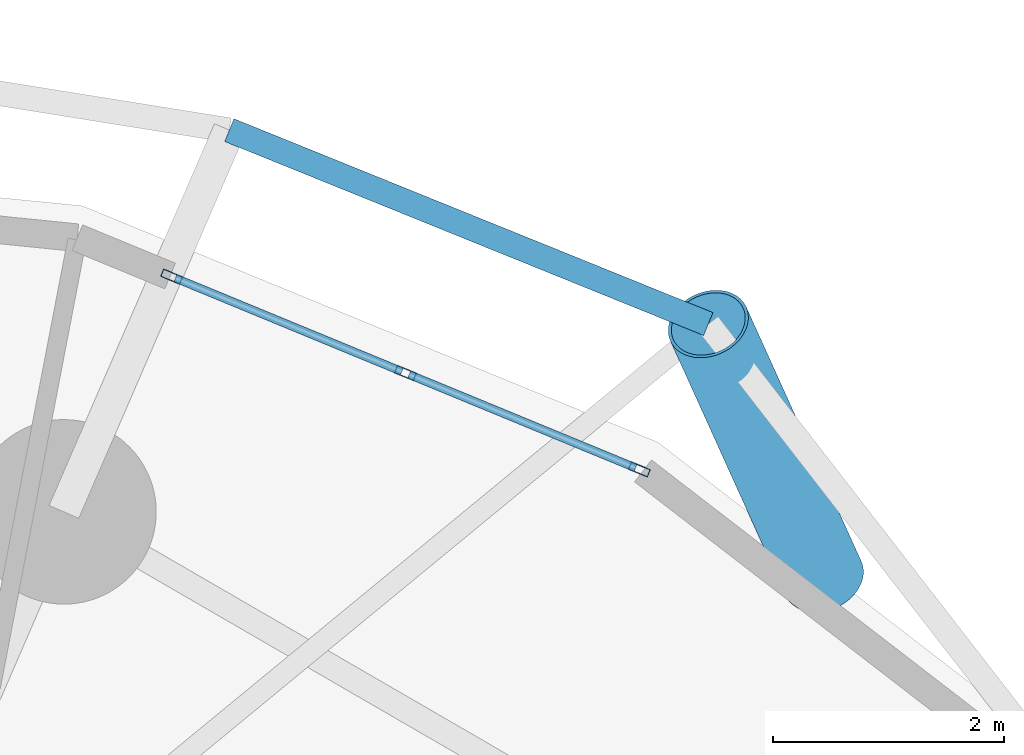
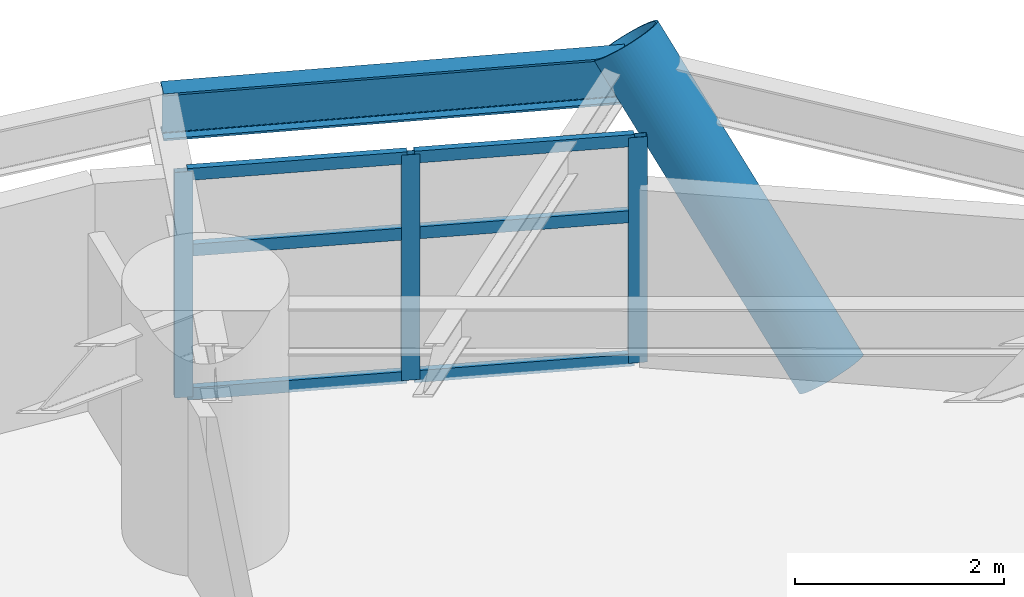
# One storey, part 7 of 17: 10 members, 1 beam, 1 element without a shape of its own.
"""IFC4 building model written with IfcOpenShell, lengths in metres."""

from ifc_helpers import new_model, si_unit, direction, frame, origin, origin_2d, place, context, subcontext, project, spatial, hollow_rectangle, hollow_circle, i_section, extrude, material, layer, layer_set, material_profile, profile_set, type_object, element, aggregate, save


model = new_model("IFC4")

# Units and contexts
model_context = context("Model", 3, precision=1e-05, world=origin(), true_north=direction((0.0, 1.0)))
body_context = subcontext(model_context, "Body", "Model", "MODEL_VIEW")
ifc_project = project(units=[si_unit("LENGTHUNIT", "METRE"), si_unit("AREAUNIT", "SQUARE_METRE"), si_unit("VOLUMEUNIT", "CUBIC_METRE"), si_unit("PLANEANGLEUNIT", "RADIAN"), si_unit("MASSUNIT", "GRAM", prefix="KILO")], contexts=[model_context])

# Site, building, storey
site_placement = place(None, origin())
site = spatial("IfcSite", under=ifc_project, at=site_placement, CompositionType="ELEMENT")
building_placement = place(site_placement, origin())
building = spatial("IfcBuilding", under=site, at=building_placement, Name="Cununo Teusaquillo Station Towers", CompositionType="ELEMENT")
storey_placement = place(building_placement, frame((0.0, 0.0, 27.820068359375)))
storey = spatial("IfcBuildingStorey", under=building, at=storey_placement, Name="L07", CompositionType="ELEMENT", Elevation=27.820068359375)

# Beam
ifc_material_1 = material(Name="Steel ASTM A572 Grade 50", Category="steel")
ifc_material_profile_1 = material_profile(ifc_material_1, i_section(OverallWidth=0.214111328125, OverallDepth=0.549072265625, WebThickness=0.0146484375, FlangeThickness=0.023681640625, FilletRadius=0.014892578125, at=origin_2d()), Name="W21X93")
ifc_profile_set_1 = profile_set([ifc_material_profile_1], Name="Steel ASTM A572 Grade 50")
beam_type = type_object("IfcBeamType", Name="BM-RING-Z1", PredefinedType="SPANDREL", material=ifc_profile_set_1)
beam_placement = place(storey_placement, frame((63.8779296875, 39.26416015625, 2.37548828125), z_axis=(-0.926969821386, 0.375135909025, 0.0), x_axis=(-0.375135909025, -0.926969821386, 0.0)))
element("IfcBeam", 1, at=beam_placement, inside=storey, type_object=beam_type, Name="L07 Tower B Spandrel Ring Beam 02", PredefinedType="SPANDREL", context=body_context, shape_type="SweptSolid", body=[
    extrude(i_section(OverallWidth=0.214111328125, OverallDepth=0.549072265625, WebThickness=0.0146484375, FlangeThickness=0.023681640625, FilletRadius=0.014892578125, at=origin_2d()), origin(), (0.0, 0.0, 1.0), 4.480712890625),
])

# Curtain wall, members
ifc_material_2 = material(Name="Ceramic-fritted dark low-E double glazing", Category="glass")
ifc_layer = layer(ifc_material_2, 0.179931640625)
ifc_layer_set = layer_set([ifc_layer], Name="Ceramic-fritted dark low-E double glazing")
curtain_wall_type = type_object("IfcCurtainWallType", Name="CW-SYS-02", PredefinedType="USERDEFINED", material=ifc_layer_set)
curtain_wall_placement = place(storey_placement, origin())
curtain_wall = element("IfcCurtainWall", 2, at=curtain_wall_placement, inside=storey, type_object=curtain_wall_type, Name="L07 Tower B Facade Curtain Wall C01", ObjectType="FRITTED GLAZING", PredefinedType="USERDEFINED")
ifc_material_3 = material(Name="Anodised dark bronze aluminium EN AW-6063-T6", Category="aluminium")
ifc_material_profile_2 = material_profile(ifc_material_3, hollow_rectangle(XDim=0.070068359375, YDim=0.179931640625, WallThickness=0.00390625, at=origin_2d()), Name="CW-MULL-70x180")
ifc_profile_set_2 = profile_set([ifc_material_profile_2], Name="Anodised dark bronze aluminium EN AW-6063-T6")
member_type_1 = type_object("IfcMemberType", Name="CWM-180", PredefinedType="MULLION", material=ifc_profile_set_2)
member_1_placement = place(storey_placement, frame((59.225341796875, 39.6748046875, 0.0), z_axis=(0.0, 0.0, 1.0), x_axis=(0.38112231431, 0.924524624623, 0.0)))
member_1 = element("IfcMember", 3, at=member_1_placement, type_object=member_type_1, Name="CW-02 mullion 1", PredefinedType="MULLION", context=body_context, shape_type="SweptSolid", body=[
    extrude(hollow_rectangle(XDim=0.070068359375, YDim=0.179931640625, WallThickness=0.00390625, at=origin_2d()), origin(), (0.0, 0.0, 1.0), 2.635009765625),
])
member_2_placement = place(storey_placement, frame((61.25244140625, 38.839111328125, 0.0), z_axis=(0.0, 0.0, 1.0), x_axis=(0.38112231431, 0.924524624623, 0.0)))
member_2 = element("IfcMember", 4, at=member_2_placement, type_object=member_type_1, Name="CW-02 mullion 2", PredefinedType="MULLION", context=body_context, shape_type="SweptSolid", body=[
    extrude(hollow_rectangle(XDim=0.070068359375, YDim=0.179931640625, WallThickness=0.00390625, at=origin_2d()), origin(), (0.0, 0.0, 1.0), 2.635009765625),
])
member_3_placement = place(storey_placement, frame((63.279541015625, 38.00341796875, 0.0), z_axis=(0.0, 0.0, 1.0), x_axis=(0.38112231431, 0.924524624623, 0.0)))
member_3 = element("IfcMember", 5, at=member_3_placement, type_object=member_type_1, Name="CW-02 mullion 3", PredefinedType="MULLION", context=body_context, shape_type="SweptSolid", body=[
    extrude(hollow_rectangle(XDim=0.070068359375, YDim=0.179931640625, WallThickness=0.00390625, at=origin_2d()), origin(), (0.0, 0.0, 1.0), 2.635009765625),
])
ifc_material_4 = material(Name="Anodised dark bronze aluminium EN AW-6063-T6", Category="aluminium")
ifc_material_profile_3 = material_profile(ifc_material_4, hollow_rectangle(XDim=0.070068359375, YDim=0.139892578125, WallThickness=0.00390625, at=origin_2d()), Name="CW-TRAN-70x140")
ifc_profile_set_3 = profile_set([ifc_material_profile_3], Name="Anodised dark bronze aluminium EN AW-6063-T6")
member_type_2 = type_object("IfcMemberType", Name="CWT-140", PredefinedType="USERDEFINED", material=ifc_profile_set_3)
member_4_placement = place(storey_placement, frame((59.257568359375, 39.66162109375, 0.034912109375), z_axis=(0.924506500056, -0.381166277829, 0.0), x_axis=(0.381166277829, 0.924506500056, 0.0)))
member_4 = element("IfcMember", 6, at=member_4_placement, type_object=member_type_2, Name="CW-02 transom 1.1", ObjectType="TRANSOM", PredefinedType="USERDEFINED", context=body_context, shape_type="SweptSolid", body=[
    extrude(hollow_rectangle(XDim=0.070068359375, YDim=0.139892578125, WallThickness=0.00390625, at=origin_2d()), origin(), (0.0, 0.0, 1.0), 2.12255859375),
])
member_5_placement = place(storey_placement, frame((59.257568359375, 39.66162109375, 1.712890625), z_axis=(0.924506500056, -0.381166277829, 0.0), x_axis=(0.381166277829, 0.924506500056, 0.0)))
member_5 = element("IfcMember", 7, at=member_5_placement, type_object=member_type_2, Name="CW-02 transom 1.2", ObjectType="TRANSOM", PredefinedType="USERDEFINED", context=body_context, shape_type="SweptSolid", body=[
    extrude(hollow_rectangle(XDim=0.070068359375, YDim=0.139892578125, WallThickness=0.00390625, at=origin_2d()), origin(), (0.0, 0.0, 1.0), 2.12255859375),
])
member_6_placement = place(storey_placement, frame((59.257568359375, 39.66162109375, 2.599853515625), z_axis=(0.924506500056, -0.381166277829, 0.0), x_axis=(0.381166277829, 0.924506500056, 0.0)))
member_6 = element("IfcMember", 8, at=member_6_placement, type_object=member_type_2, Name="CW-02 transom 1.3", ObjectType="TRANSOM", PredefinedType="USERDEFINED", context=body_context, shape_type="SweptSolid", body=[
    extrude(hollow_rectangle(XDim=0.070068359375, YDim=0.139892578125, WallThickness=0.00390625, at=origin_2d()), origin(), (0.0, 0.0, 1.0), 2.12255859375),
])
member_7_placement = place(storey_placement, frame((61.28466796875, 38.825927734375, 0.034912109375), z_axis=(0.924506500056, -0.381166277829, 0.0), x_axis=(0.381166277829, 0.924506500056, 0.0)))
member_7 = element("IfcMember", 9, at=member_7_placement, type_object=member_type_2, Name="CW-02 transom 2.1", ObjectType="TRANSOM", PredefinedType="USERDEFINED", context=body_context, shape_type="SweptSolid", body=[
    extrude(hollow_rectangle(XDim=0.070068359375, YDim=0.139892578125, WallThickness=0.00390625, at=origin_2d()), origin(), (0.0, 0.0, 1.0), 2.12255859375),
])
member_8_placement = place(storey_placement, frame((61.28466796875, 38.825927734375, 1.712890625), z_axis=(0.924506500056, -0.381166277829, 0.0), x_axis=(0.381166277829, 0.924506500056, 0.0)))
member_8 = element("IfcMember", 10, at=member_8_placement, type_object=member_type_2, Name="CW-02 transom 2.2", ObjectType="TRANSOM", PredefinedType="USERDEFINED", context=body_context, shape_type="SweptSolid", body=[
    extrude(hollow_rectangle(XDim=0.070068359375, YDim=0.139892578125, WallThickness=0.00390625, at=origin_2d()), origin(), (0.0, 0.0, 1.0), 2.12255859375),
])
member_9_placement = place(storey_placement, frame((61.28466796875, 38.825927734375, 2.599853515625), z_axis=(0.924506500056, -0.381166277829, 0.0), x_axis=(0.381166277829, 0.924506500056, 0.0)))
member_9 = element("IfcMember", 11, at=member_9_placement, type_object=member_type_2, Name="CW-02 transom 2.3", ObjectType="TRANSOM", PredefinedType="USERDEFINED", context=body_context, shape_type="SweptSolid", body=[
    extrude(hollow_rectangle(XDim=0.070068359375, YDim=0.139892578125, WallThickness=0.00390625, at=origin_2d()), origin(), (0.0, 0.0, 1.0), 2.12255859375),
])
aggregate(curtain_wall, [member_1, member_2, member_3, member_4, member_5, member_6, member_7, member_8, member_9])

# Member
ifc_material_5 = material(Name="Steel EN 10025-2 S355J2", Category="steel")
ifc_material_profile_4 = material_profile(ifc_material_5, hollow_circle(Radius=0.360107421875, WallThickness=0.028076171875, at=origin_2d()), Name="CHS 720x28")
ifc_profile_set_4 = profile_set([ifc_material_profile_4], Name="Steel EN 10025-2 S355J2")
member_type_3 = type_object("IfcMemberType", Name="MBR-DIAG-Z1", PredefinedType="BRACE", material=ifc_profile_set_4)
member_10_placement = place(storey_placement, frame((64.87548828125, 37.05859375, -0.14013671875), z_axis=(-0.263533415327, 0.582662964773, 0.768800369724), x_axis=(-0.911138580726, -0.412100093076, 0.0)))
element("IfcMember", 12, at=member_10_placement, inside=storey, type_object=member_type_3, Name="L07 Tower B Folded-Zigzag Diagrid Tube C00", PredefinedType="BRACE", context=body_context, shape_type="SweptSolid", body=[
    extrude(hollow_circle(Radius=0.360107421875, WallThickness=0.028076171875, at=origin_2d()), origin(), (0.0, 0.0, 1.0), 3.785400390625),
])

save(model, "model.ifc")
